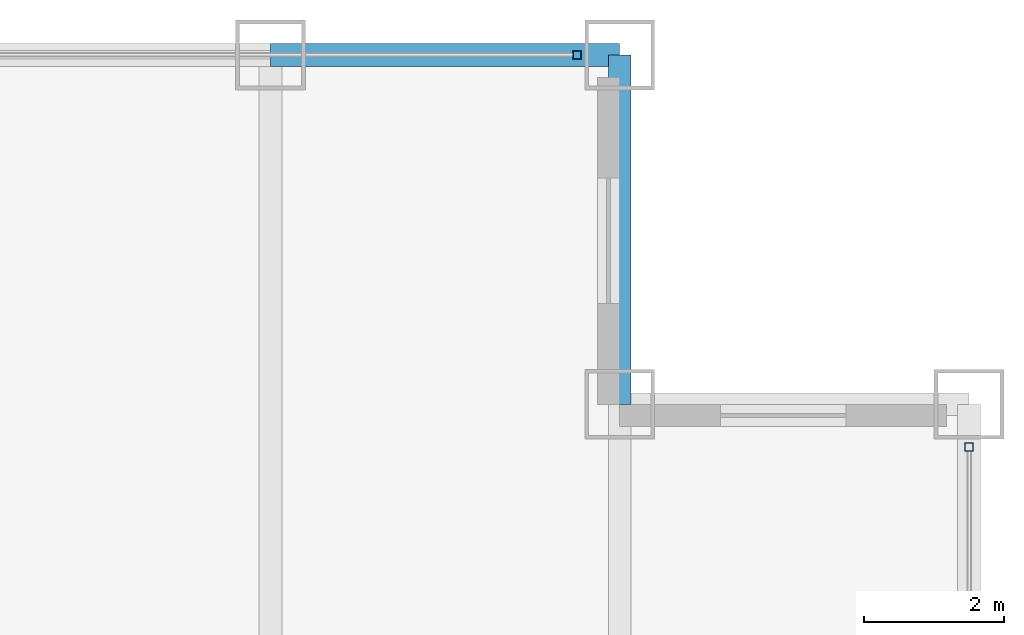
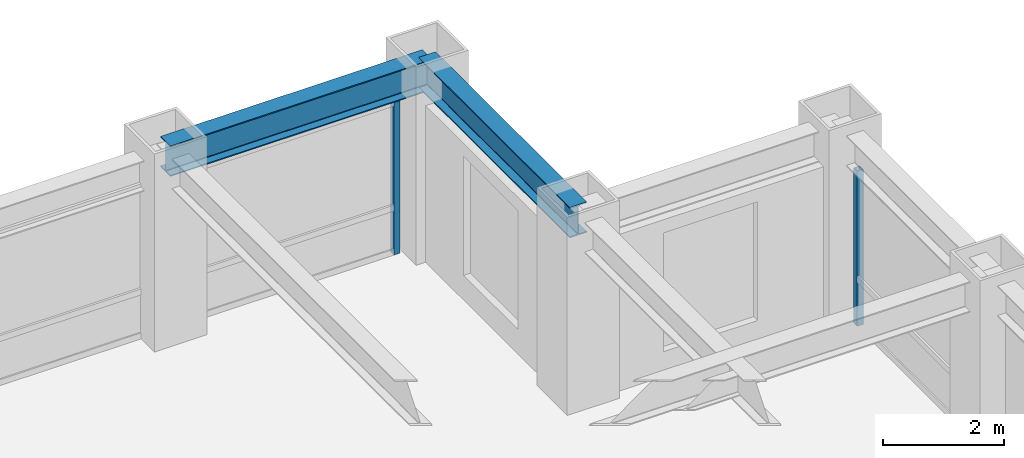
# One storey, part 18 of 24: 2 beams, 2 members, 2 elements without a shape of their own.
"""IFC4 building model written with IfcOpenShell, lengths in metres."""

from ifc_helpers import new_model, si_unit, direction, frame, origin, origin_2d, place, context, subcontext, project, spatial, hollow_rectangle, i_section, extrude, source, transform, mapped, material, material_profile, profile_set, type_object, element, aggregate, save


model = new_model("IFC4")

# Units and contexts
model_context = context("Model", 3, precision=1e-05, world=origin(), true_north=direction((0.0, 1.0)))
body_context = subcontext(model_context, "Body", "Model", "MODEL_VIEW")
ifc_project = project(units=[si_unit("LENGTHUNIT", "METRE"), si_unit("AREAUNIT", "SQUARE_METRE"), si_unit("VOLUMEUNIT", "CUBIC_METRE"), si_unit("PLANEANGLEUNIT", "RADIAN"), si_unit("MASSUNIT", "GRAM", prefix="KILO")], contexts=[model_context])

# Site, building, storey
site_placement = place(None, origin())
site = spatial("IfcSite", under=ifc_project, at=site_placement, CompositionType="ELEMENT")
building_placement = place(site_placement, origin())
building = spatial("IfcBuilding", under=site, at=building_placement, Name="Khorayat Bourse Tower", CompositionType="ELEMENT")
storey_placement = place(building_placement, frame((0.0, 0.0, 259.10009765625)))
storey = spatial("IfcBuildingStorey", under=building, at=storey_placement, Name="L61", CompositionType="ELEMENT", Elevation=259.10009765625)

# Beams
ifc_material_1 = material(Name="Steel ASTM A992 Grade 50", Category="steel")
ifc_material_profile_1 = material_profile(ifc_material_1, i_section(OverallWidth=0.324951171875, OverallDepth=0.615966796875, WebThickness=0.013916015625, FlangeThickness=0.021484375, FilletRadius=0.01611328125, at=origin_2d()), Name="W610X174")
ifc_profile_set_1 = profile_set([ifc_material_profile_1], Name="Steel ASTM A992 Grade 50")
beam_type = type_object("IfcBeamType", Name="BM-SPAN-610", PredefinedType="SPANDREL", material=ifc_profile_set_1)
shared_shape_1 = source(origin(), body_context, "Body", "SweptSolid", [
    extrude(i_section(OverallWidth=0.324951171875, OverallDepth=0.615966796875, WebThickness=0.013916015625, FlangeThickness=0.021484375, FilletRadius=0.01611328125, at=origin_2d()), origin(), (0.0, 0.0, 1.0), 5.0),
])
for number, where, z_axis, x_axis, name in (
    (1, (25.0, 25.0, 3.471923828125), (0.0, 1.0, 0.0), (-1.0, 0.0, 0.0), "L61 BM-SPAN-610 BM-L61-SPN-043"),
    (2, (20.0, 30.0, 3.471923828125), (1.0, 0.0, 0.0), (0.0, 1.0, 0.0), "L61 BM-SPAN-610 BM-L61-SPN-044"),
):
    element("IfcBeam", number, at=place(storey_placement, frame(where, z_axis=z_axis, x_axis=x_axis)), inside=storey, type_object=beam_type, Name=name, PredefinedType="SPANDREL", context=body_context, shape_type="MappedRepresentation", body=[
        mapped(shared_shape_1, transform((0.0, 0.0, 0.0), scale=1.0)),
    ])

# Curtain wall, member
ifc_material_2 = material(Name="Aluminium EN AW-6063 T6", Category="aluminium")
curtain_wall_type = type_object("IfcCurtainWallType", Name="CW-SYS-03", PredefinedType="NOTDEFINED", material=ifc_material_2)
curtain_wall_1_placement = place(storey_placement, origin())
curtain_wall_1 = element("IfcCurtainWall", 3, at=curtain_wall_1_placement, inside=storey, type_object=curtain_wall_type, Name="L61 Curtain Wall CW-L61-N1", PredefinedType="NOTDEFINED")
ifc_material_profile_2 = material_profile(ifc_material_2, hollow_rectangle(XDim=0.1201171875, YDim=0.1201171875, WallThickness=0.0048828125, at=origin_2d()), Name="ALU 120x120x5")
ifc_profile_set_2 = profile_set([ifc_material_profile_2], Name="Aluminium EN AW-6063 T6")
member_type = type_object("IfcMemberType", Name="CWM-VERT-120", PredefinedType="MULLION", material=ifc_profile_set_2)
shared_shape_2 = source(origin(), body_context, "Body", "SweptSolid", [
    extrude(hollow_rectangle(XDim=0.1201171875, YDim=0.1201171875, WallThickness=0.0048828125, at=origin_2d()), origin(), (0.0, 0.0, 1.0), 3.1298828125),
])
member_1_placement = place(storey_placement, frame((24.389892578125, 30.0, 0.0), z_axis=(0.0, 0.0, 1.0), x_axis=(0.0, 1.0, 0.0)))
member_1 = element("IfcMember", 4, at=member_1_placement, type_object=member_type, Name="CW-L61-N1 Vertical Mullion 3", PredefinedType="MULLION", context=body_context, shape_type="MappedRepresentation", body=[
    mapped(shared_shape_2, transform((0.0, 0.0, 0.0), scale=1.0)),
])
aggregate(curtain_wall_1, [member_1])

curtain_wall_2_placement = place(storey_placement, origin())
curtain_wall_2 = element("IfcCurtainWall", 5, at=curtain_wall_2_placement, inside=storey, type_object=curtain_wall_type, Name="L61 Curtain Wall CW-L61-E1", PredefinedType="NOTDEFINED")
member_2_placement = place(storey_placement, frame((30.0, 24.389892578125, 0.0), z_axis=(0.0, 0.0, 1.0), x_axis=(-1.0, 0.0, 0.0)))
member_2 = element("IfcMember", 6, at=member_2_placement, type_object=member_type, Name="CW-L61-E1 Vertical Mullion 3", PredefinedType="MULLION", context=body_context, shape_type="MappedRepresentation", body=[
    mapped(shared_shape_2, transform((0.0, 0.0, 0.0), scale=1.0)),
])
aggregate(curtain_wall_2, [member_2])

save(model, "model.ifc")
